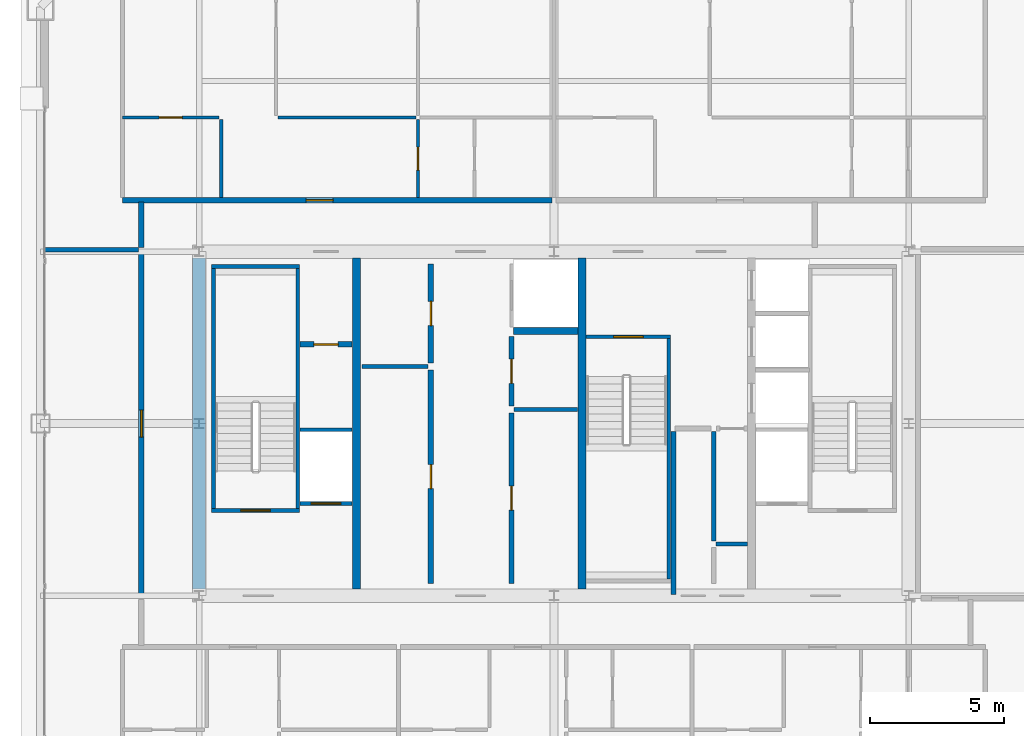
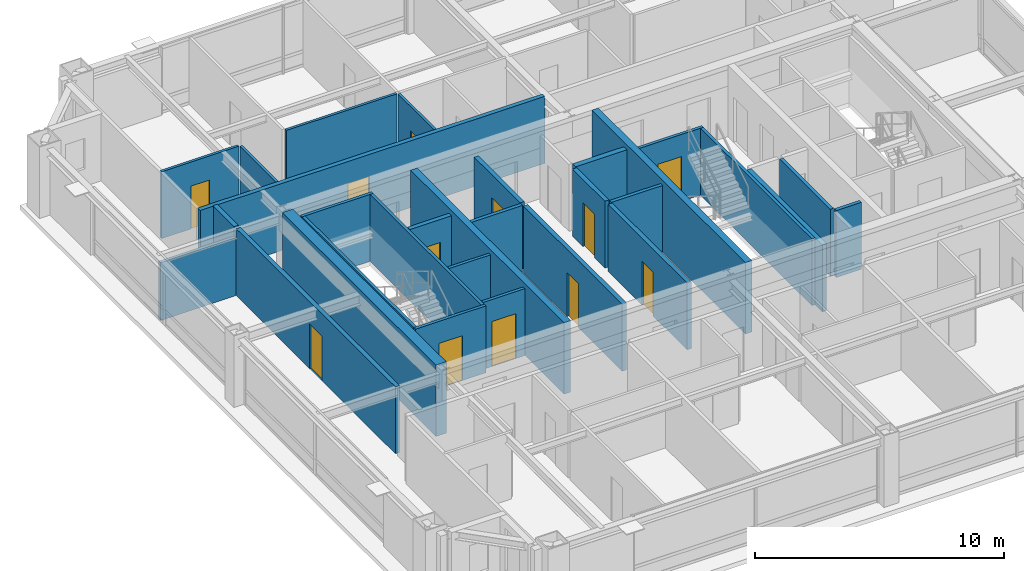
# One storey, part 31 of 35: 30 walls, 12 doors, 12 openings.
"""IFC4 building model written with IfcOpenShell, lengths in metres."""

from ifc_helpers import new_model, si_unit, direction, frame, frame_2d, origin, place, context, subcontext, project, spatial, rectangle, extrude, source, transform, mapped, material, layer, layer_set, type_object, element, fill, save


model = new_model("IFC4")

# Units and contexts
model_context = context("Model", 3, precision=1e-05, world=origin(), true_north=direction((0.0, 1.0)))
body_context = subcontext(model_context, "Body", "Model", "MODEL_VIEW")
ifc_project = project(units=[si_unit("LENGTHUNIT", "METRE"), si_unit("AREAUNIT", "SQUARE_METRE"), si_unit("VOLUMEUNIT", "CUBIC_METRE"), si_unit("PLANEANGLEUNIT", "RADIAN"), si_unit("MASSUNIT", "GRAM", prefix="KILO"), si_unit("THERMODYNAMICTEMPERATUREUNIT", "KELVIN"), si_unit("POWERUNIT", "WATT")], contexts=[model_context])

# Site, building, storey
site_placement = place(None, origin())
site = spatial("IfcSite", under=ifc_project, at=site_placement, CompositionType="ELEMENT")
building_placement = place(site_placement, origin())
building = spatial("IfcBuilding", under=site, at=building_placement, Name="Yuzanri Waterfront Tower", CompositionType="ELEMENT")
storey_placement = place(building_placement, frame((0.0, 0.0, 311.199951171875)))
storey = spatial("IfcBuildingStorey", under=building, at=storey_placement, Name="L83", CompositionType="ELEMENT", Elevation=311.199951171875)

# Wall, opening, door
ifc_material_1 = material(Name="Moisture-Resistant Gypsum Stud Wall", Category="gypsum")
ifc_layer_1 = layer(ifc_material_1, 0.1201171875)
ifc_layer_set_1 = layer_set([ifc_layer_1], Name="Moisture-Resistant Gypsum Stud Wall")
wall_type_1 = type_object("IfcWallType", Name="Bathroom and Kitchen Wet Partition 120", PredefinedType="PARTITIONING", material=ifc_layer_set_1)
wall_1_placement = place(storey_placement, frame((20.93994140625, 37.18994140625, 0.0), z_axis=(0.0, 0.0, 1.0), x_axis=(1.0, 0.0, 0.0)))
wall_1 = element("IfcWall", 1, at=wall_1_placement, inside=storey, type_object=wall_type_1, Name="L83 Partition UW-L83-HN1-SUB-1-N", PredefinedType="PARTITIONING", context=body_context, shape_type="SweptSolid", body=[
    extrude(rectangle(XDim=3.60009765625, YDim=0.1201171875, at=frame_2d((1.800048828125, 0.0))), origin(), (0.0, 0.0, 1.0), 3.280029296875),
])
opening_1_placement = place(wall_1_placement, frame((1.375, 0.0, 0.0)))
opening_1 = element("IfcOpeningElement", 2, at=opening_1_placement, cuts=wall_1, Name="Opening ID-0850", PredefinedType="OPENING", context=body_context, shape_type="SweptSolid", body=[
    extrude(rectangle(XDim=0.85009765625, YDim=2.10009765625, at=frame_2d((0.425048828125, 1.050048828125))), frame((0.0, 0.074951171875, 0.0), z_axis=(0.0, -1.0, 0.0), x_axis=(1.0, 0.0, 0.0)), (0.0, 0.0, 1.0), 0.14990234375),
])
ifc_material_2 = material(Name="Moisture-Resistant Lacquered Timber", Category="wood")
door_type_1 = type_object("IfcDoorType", Name="En-Suite Bathroom and Kitchen Swing Door 850x2100", OperationType="NOTDEFINED", PredefinedType="DOOR", material=ifc_material_2)
shared_shape_1 = source(origin(), body_context, "Body", "SweptSolid", [
    extrude(rectangle(XDim=0.85009765625, YDim=2.10009765625, at=frame_2d((0.425048828125, 1.050048828125))), frame((0.0, 0.02490234375, 0.0), z_axis=(0.0, -1.0, 0.0), x_axis=(1.0, 0.0, 0.0)), (0.0, 0.0, 1.0), 0.050048828125),
])
door_1_placement = place(opening_1_placement, origin())
door_1 = element("IfcDoor", 3, at=door_1_placement, inside=storey, type_object=door_type_1, Name="L83 Suite Interior Room Door", OperationType="SINGLE_SWING_LEFT", OverallHeight=2.10009765625, OverallWidth=0.85009765625, PredefinedType="DOOR", context=body_context, shape_type="MappedRepresentation", body=[
    mapped(shared_shape_1, transform((0.0, 0.0, 0.0), scale=1.0)),
])
fill(opening_1, door_1)

wall_2_placement = place(storey_placement, frame((31.94189453125, 34.2099609375, 0.0), z_axis=(0.0, 0.0, 1.0), x_axis=(0.0, 1.0, 0.0)))
wall_2 = element("IfcWall", 4, at=wall_2_placement, inside=storey, type_object=wall_type_1, Name="L83 Partition UW-L83-HN1-SUB-4-W", PredefinedType="PARTITIONING", context=body_context, shape_type="SweptSolid", body=[
    extrude(rectangle(XDim=2.900146484375, YDim=0.1201171875, at=frame_2d((1.4501953125, 0.0))), origin(), (0.0, 0.0, 1.0), 3.280029296875),
])
opening_2_placement = place(wall_2_placement, frame((1.02490234375, 0.0, 0.0)))
opening_2 = element("IfcOpeningElement", 5, at=opening_2_placement, cuts=wall_2, Name="Opening ID-0850", PredefinedType="OPENING", context=body_context, shape_type="SweptSolid", body=[
    extrude(rectangle(XDim=0.85009765625, YDim=2.10009765625, at=frame_2d((0.425048828125, 1.050048828125))), frame((0.0, 0.074951171875, 0.0), z_axis=(0.0, -1.0, 0.0), x_axis=(1.0, 0.0, 0.0)), (0.0, 0.0, 1.0), 0.14990234375),
])
door_2_placement = place(opening_2_placement, origin())
door_2 = element("IfcDoor", 6, at=door_2_placement, inside=storey, type_object=door_type_1, Name="L83 Suite Interior Room Door", OperationType="SINGLE_SWING_RIGHT", OverallHeight=2.10009765625, OverallWidth=0.85009765625, PredefinedType="DOOR", context=body_context, shape_type="MappedRepresentation", body=[
    mapped(shared_shape_1, transform((0.0, 0.0, 0.0), scale=1.0)),
])
fill(opening_2, door_2)

ifc_material_3 = material(Name="Concrete C40", Category="concrete")
ifc_layer_2 = layer(ifc_material_3, 0.139892578125)
ifc_layer_set_2 = layer_set([ifc_layer_2], Name="Concrete C40")
wall_type_2 = type_object("IfcWallType", Name="Core Stair Liner and Hoistway Shaft Wall 140", PredefinedType="SOLIDWALL", material=ifc_layer_set_2)
wall_3_placement = place(storey_placement, frame((27.56005859375, 22.830078125, 0.0), z_axis=(0.0, 0.0, 1.0), x_axis=(1.0, 0.0, 0.0)))
wall_3 = element("IfcWall", 7, at=wall_3_placement, inside=storey, type_object=wall_type_2, Name="L83 Lift FL-01 Front Shaft Wall", PredefinedType="SOLIDWALL", context=body_context, shape_type="SweptSolid", body=[
    extrude(rectangle(XDim=1.919921875, YDim=0.139892578125, at=frame_2d((0.9599609375, 0.0))), origin(), (0.0, 0.0, 1.0), 3.280029296875),
])
opening_3_placement = place(wall_3_placement, frame((0.409912109375, 0.0, 0.0)))
opening_3 = element("IfcOpeningElement", 8, at=opening_3_placement, cuts=wall_3, Name="Opening LD-FL-01", PredefinedType="OPENING", context=body_context, shape_type="SweptSolid", body=[
    extrude(rectangle(XDim=1.10009765625, YDim=2.199951171875, at=frame_2d((0.550048828125, 1.10009765625))), frame((0.0, 0.0849609375, 0.0), z_axis=(0.0, -1.0, 0.0), x_axis=(1.0, 0.0, 0.0)), (0.0, 0.0, 1.0), 0.169677734375),
])
ifc_material_4 = material(Name="Brushed Bronze and Stainless Steel Cab", Category="steel")
door_type_2 = type_object("IfcDoorType", Name="Center-Parting Bronze Lift Landing Sliding Door 1100x2200", OperationType="NOTDEFINED", PredefinedType="DOOR", material=ifc_material_4)
shared_shape_2 = source(origin(), body_context, "Body", "SweptSolid", [
    extrude(rectangle(XDim=1.10009765625, YDim=2.199951171875, at=frame_2d((0.550048828125, 1.10009765625))), frame((0.0, 0.02490234375, 0.0), z_axis=(0.0, -1.0, 0.0), x_axis=(1.0, 0.0, 0.0)), (0.0, 0.0, 1.0), 0.050048828125),
])
door_3_placement = place(opening_3_placement, origin())
door_3 = element("IfcDoor", 9, at=door_3_placement, inside=storey, type_object=door_type_2, Name="L83 FL-01 Lift Landing Sliding Door", OperationType="SLIDING_TO_LEFT", OverallHeight=2.199951171875, OverallWidth=1.10009765625, PredefinedType="DOOR", context=body_context, shape_type="MappedRepresentation", body=[
    mapped(shared_shape_2, transform((0.0, 0.0, 0.0), scale=1.0)),
])
fill(opening_3, door_3)

wall_4_placement = place(storey_placement, frame((24.260009765625, 22.570068359375, 0.0), z_axis=(0.0, 0.0, 1.0), x_axis=(1.0, 0.0, 0.0)))
wall_4 = element("IfcWall", 10, at=wall_4_placement, inside=storey, type_object=wall_type_2, Name="L83 Shaft Wall STW-L83-ST-01-S", PredefinedType="SOLIDWALL", context=body_context, shape_type="SweptSolid", body=[
    extrude(rectangle(XDim=3.280029296875, YDim=0.139892578125, at=frame_2d((1.64013671875, 0.0))), origin(), (0.0, 0.0, 1.0), 3.280029296875),
])
opening_4_placement = place(wall_4_placement, frame((1.090087890625, 0.0, 0.0)))
opening_4 = element("IfcOpeningElement", 11, at=opening_4_placement, cuts=wall_4, Name="Opening FD-1100", PredefinedType="OPENING", context=body_context, shape_type="SweptSolid", body=[
    extrude(rectangle(XDim=1.10009765625, YDim=2.199951171875, at=frame_2d((0.550048828125, 1.10009765625))), frame((0.0, 0.0849609375, 0.0), z_axis=(0.0, -1.0, 0.0), x_axis=(1.0, 0.0, 0.0)), (0.0, 0.0, 1.0), 0.169677734375),
])
ifc_material_5 = material(Name="Painted Galvanized Fire Steel", Category="steel")
door_type_3 = type_object("IfcDoorType", Name="Smoke-Proof Stair and Lobby Fire Door 1100x2200", OperationType="NOTDEFINED", PredefinedType="DOOR", material=ifc_material_5)
shared_shape_3 = source(origin(), body_context, "Body", "SweptSolid", [
    extrude(rectangle(XDim=1.10009765625, YDim=2.199951171875, at=frame_2d((0.550048828125, 1.10009765625))), frame((0.0, 0.02490234375, 0.0), z_axis=(0.0, -1.0, 0.0), x_axis=(1.0, 0.0, 0.0)), (0.0, 0.0, 1.0), 0.050048828125),
])
door_4_placement = place(opening_4_placement, origin())
door_4 = element("IfcDoor", 12, at=door_4_placement, inside=storey, type_object=door_type_3, Name="L83 Stair ST-01 Fire Door", OperationType="SINGLE_SWING_RIGHT", OverallHeight=2.199951171875, OverallWidth=1.10009765625, PredefinedType="DOOR", context=body_context, shape_type="MappedRepresentation", body=[
    mapped(shared_shape_3, transform((0.0, 0.0, 0.0), scale=1.0)),
])
fill(opening_4, door_4)

wall_5_placement = place(storey_placement, frame((38.199951171875, 29.030029296875, 0.0), z_axis=(0.0, 0.0, 1.0), x_axis=(1.0, 0.0, 0.0)))
wall_5 = element("IfcWall", 13, at=wall_5_placement, inside=storey, type_object=wall_type_2, Name="L83 Shaft Wall STW-L83-ST-03-N", PredefinedType="SOLIDWALL", context=body_context, shape_type="SweptSolid", body=[
    extrude(rectangle(XDim=3.14013671875, YDim=0.139892578125, at=frame_2d((1.570068359375, 0.0))), origin(), (0.0, 0.0, 1.0), 3.280029296875),
])
opening_5_placement = place(wall_5_placement, frame((1.02001953125, 0.0, 0.0)))
opening_5 = element("IfcOpeningElement", 14, at=opening_5_placement, cuts=wall_5, Name="Opening FD-1100", PredefinedType="OPENING", context=body_context, shape_type="SweptSolid", body=[
    extrude(rectangle(XDim=1.10009765625, YDim=2.199951171875, at=frame_2d((0.550048828125, 1.10009765625))), frame((0.0, 0.0849609375, 0.0), z_axis=(0.0, -1.0, 0.0), x_axis=(1.0, 0.0, 0.0)), (0.0, 0.0, 1.0), 0.169677734375),
])
door_5_placement = place(opening_5_placement, origin())
door_5 = element("IfcDoor", 15, at=door_5_placement, inside=storey, type_object=door_type_3, Name="L83 Stair ST-03 Fire Door", OperationType="SINGLE_SWING_RIGHT", OverallHeight=2.199951171875, OverallWidth=1.10009765625, PredefinedType="DOOR", context=body_context, shape_type="MappedRepresentation", body=[
    mapped(shared_shape_3, transform((0.0, 0.0, 0.0), scale=1.0)),
])
fill(opening_5, door_5)

ifc_material_6 = material(Name="Autoclaved Aerated Concrete Blockwork", Category="masonry")
ifc_layer_3 = layer(ifc_material_6, 0.199951171875)
ifc_layer_set_3 = layer_set([ifc_layer_3], Name="Autoclaved Aerated Concrete Blockwork")
wall_type_3 = type_object("IfcWallType", Name="Corridor and Unit Party Fire Wall 200", PredefinedType="PARTITIONING", material=ifc_layer_set_3)
wall_6_placement = place(storey_placement, frame((27.56005859375, 28.75, 0.0), z_axis=(0.0, 0.0, 1.0), x_axis=(1.0, 0.0, 0.0)))
wall_6 = element("IfcWall", 16, at=wall_6_placement, inside=storey, type_object=wall_type_3, Name="L83 Partition CRW-L83-ERTR", PredefinedType="PARTITIONING", context=body_context, shape_type="SweptSolid", body=[
    extrude(rectangle(XDim=1.919921875, YDim=0.199951171875, at=frame_2d((0.9599609375, 0.0))), origin(), (0.0, 0.0, 1.0), 3.280029296875),
])
opening_6_placement = place(wall_6_placement, frame((0.510009765625, 0.0, 0.0)))
opening_6 = element("IfcOpeningElement", 17, at=opening_6_placement, cuts=wall_6, Name="Opening FD-0900", PredefinedType="OPENING", context=body_context, shape_type="SweptSolid", body=[
    extrude(rectangle(XDim=0.89990234375, YDim=2.14990234375, at=frame_2d((0.449951171875, 1.074951171875))), frame((0.0, 0.11474609375, 0.0), z_axis=(0.0, -1.0, 0.0), x_axis=(1.0, 0.0, 0.0)), (0.0, 0.0, 1.0), 0.229736328125),
])
ifc_material_7 = material(Name="Painted Galvanized Fire Steel", Category="steel")
door_type_4 = type_object("IfcDoorType", Name="Riser and Service Room Fire Door 900x2150", OperationType="NOTDEFINED", PredefinedType="DOOR", material=ifc_material_7)
shared_shape_4 = source(origin(), body_context, "Body", "SweptSolid", [
    extrude(rectangle(XDim=0.89990234375, YDim=2.14990234375, at=frame_2d((0.449951171875, 1.074951171875))), frame((0.0, 0.02490234375, 0.0), z_axis=(0.0, -1.0, 0.0), x_axis=(1.0, 0.0, 0.0)), (0.0, 0.0, 1.0), 0.050048828125),
])
door_6_placement = place(opening_6_placement, origin())
door_6 = element("IfcDoor", 18, at=door_6_placement, inside=storey, type_object=door_type_4, Name="L83 Electrical Riser Door", OperationType="SINGLE_SWING_RIGHT", OverallHeight=2.14990234375, OverallWidth=0.89990234375, PredefinedType="DOOR", context=body_context, shape_type="MappedRepresentation", body=[
    mapped(shared_shape_4, transform((0.0, 0.0, 0.0), scale=1.0)),
])
fill(opening_6, door_6)

wall_7_placement = place(storey_placement, frame((32.419921875, 19.860107421875, 0.0), z_axis=(0.0, 0.0, 1.0), x_axis=(0.0, 1.0, 0.0)))
wall_7 = element("IfcWall", 19, at=wall_7_placement, inside=storey, type_object=wall_type_3, Name="L83 Partition CRW-L83-B1R-1", PredefinedType="PARTITIONING", context=body_context, shape_type="SweptSolid", body=[
    extrude(rectangle(XDim=7.93994140625, YDim=0.199951171875, at=frame_2d((3.969970703125, 0.0))), origin(), (0.0, 0.0, 1.0), 3.280029296875),
])
opening_7_placement = place(wall_7_placement, frame((3.52001953125, 0.0, 0.0)))
opening_7 = element("IfcOpeningElement", 20, at=opening_7_placement, cuts=wall_7, Name="Opening FD-0900", PredefinedType="OPENING", context=body_context, shape_type="SweptSolid", body=[
    extrude(rectangle(XDim=0.89990234375, YDim=2.14990234375, at=frame_2d((0.449951171875, 1.074951171875))), frame((0.0, 0.11474609375, 0.0), z_axis=(0.0, -1.0, 0.0), x_axis=(1.0, 0.0, 0.0)), (0.0, 0.0, 1.0), 0.229736328125),
])
door_7_placement = place(opening_7_placement, origin())
door_7 = element("IfcDoor", 21, at=door_7_placement, inside=storey, type_object=door_type_4, Name="L83 General Store Room", OperationType="SINGLE_SWING_LEFT", OverallHeight=2.14990234375, OverallWidth=0.89990234375, PredefinedType="DOOR", context=body_context, shape_type="MappedRepresentation", body=[
    mapped(shared_shape_4, transform((0.0, 0.0, 0.0), scale=1.0)),
])
fill(opening_7, door_7)

wall_8_placement = place(storey_placement, frame((32.419921875, 28.050048828125, 0.0), z_axis=(0.0, 0.0, 1.0), x_axis=(0.0, 1.0, 0.0)))
wall_8 = element("IfcWall", 22, at=wall_8_placement, inside=storey, type_object=wall_type_3, Name="L83 Partition CRW-L83-B1R-2", PredefinedType="PARTITIONING", context=body_context, shape_type="SweptSolid", body=[
    extrude(rectangle(XDim=3.68994140625, YDim=0.199951171875, at=frame_2d((1.844970703125, 0.0))), origin(), (0.0, 0.0, 1.0), 3.280029296875),
])
opening_8_placement = place(wall_8_placement, frame((1.39501953125, 0.0, 0.0)))
opening_8 = element("IfcOpeningElement", 23, at=opening_8_placement, cuts=wall_8, Name="Opening FD-0900", PredefinedType="OPENING", context=body_context, shape_type="SweptSolid", body=[
    extrude(rectangle(XDim=0.89990234375, YDim=2.14990234375, at=frame_2d((0.449951171875, 1.074951171875))), frame((0.0, 0.11474609375, 0.0), z_axis=(0.0, -1.0, 0.0), x_axis=(1.0, 0.0, 0.0)), (0.0, 0.0, 1.0), 0.229736328125),
])
door_8_placement = place(opening_8_placement, origin())
door_8 = element("IfcDoor", 24, at=door_8_placement, inside=storey, type_object=door_type_4, Name="L83 Water Riser Shaft", OperationType="SINGLE_SWING_RIGHT", OverallHeight=2.14990234375, OverallWidth=0.89990234375, PredefinedType="DOOR", context=body_context, shape_type="MappedRepresentation", body=[
    mapped(shared_shape_4, transform((0.0, 0.0, 0.0), scale=1.0)),
])
fill(opening_8, door_8)

wall_9_placement = place(storey_placement, frame((35.419921875, 19.860107421875, 0.0), z_axis=(0.0, 0.0, 1.0), x_axis=(0.0, 1.0, 0.0)))
wall_9 = element("IfcWall", 25, at=wall_9_placement, inside=storey, type_object=wall_type_3, Name="L83 Partition CRW-L83-B2R-1", PredefinedType="PARTITIONING", context=body_context, shape_type="SweptSolid", body=[
    extrude(rectangle(XDim=6.33984375, YDim=0.199951171875, at=frame_2d((3.169921875, 0.0))), origin(), (0.0, 0.0, 1.0), 3.280029296875),
])
opening_9_placement = place(wall_9_placement, frame((2.719970703125, 0.0, 0.0)))
opening_9 = element("IfcOpeningElement", 26, at=opening_9_placement, cuts=wall_9, Name="Opening FD-0900", PredefinedType="OPENING", context=body_context, shape_type="SweptSolid", body=[
    extrude(rectangle(XDim=0.89990234375, YDim=2.14990234375, at=frame_2d((0.449951171875, 1.074951171875))), frame((0.0, 0.11474609375, 0.0), z_axis=(0.0, -1.0, 0.0), x_axis=(1.0, 0.0, 0.0)), (0.0, 0.0, 1.0), 0.229736328125),
])
door_9_placement = place(opening_9_placement, origin())
door_9 = element("IfcDoor", 27, at=door_9_placement, inside=storey, type_object=door_type_4, Name="L83 Upper Service Store Room", OperationType="SINGLE_SWING_LEFT", OverallHeight=2.14990234375, OverallWidth=0.89990234375, PredefinedType="DOOR", context=body_context, shape_type="MappedRepresentation", body=[
    mapped(shared_shape_4, transform((0.0, 0.0, 0.0), scale=1.0)),
])
fill(opening_9, door_9)

wall_10_placement = place(storey_placement, frame((35.419921875, 26.449951171875, 0.0), z_axis=(0.0, 0.0, 1.0), x_axis=(0.0, 1.0, 0.0)))
wall_10 = element("IfcWall", 28, at=wall_10_placement, inside=storey, type_object=wall_type_3, Name="L83 Partition CRW-L83-B2R-2", PredefinedType="PARTITIONING", context=body_context, shape_type="SweptSolid", body=[
    extrude(rectangle(XDim=2.60009765625, YDim=0.199951171875, at=frame_2d((1.300048828125, 0.0))), origin(), (0.0, 0.0, 1.0), 3.280029296875),
])
opening_10_placement = place(wall_10_placement, frame((0.85009765625, 0.0, 0.0)))
opening_10 = element("IfcOpeningElement", 29, at=opening_10_placement, cuts=wall_10, Name="Opening FD-0900", PredefinedType="OPENING", context=body_context, shape_type="SweptSolid", body=[
    extrude(rectangle(XDim=0.89990234375, YDim=2.14990234375, at=frame_2d((0.449951171875, 1.074951171875))), frame((0.0, 0.11474609375, 0.0), z_axis=(0.0, -1.0, 0.0), x_axis=(1.0, 0.0, 0.0)), (0.0, 0.0, 1.0), 0.229736328125),
])
door_10_placement = place(opening_10_placement, origin())
door_10 = element("IfcDoor", 30, at=door_10_placement, inside=storey, type_object=door_type_4, Name="L83 Meter and Valve Store Room", OperationType="SINGLE_SWING_RIGHT", OverallHeight=2.14990234375, OverallWidth=0.89990234375, PredefinedType="DOOR", context=body_context, shape_type="MappedRepresentation", body=[
    mapped(shared_shape_4, transform((0.0, 0.0, 0.0), scale=1.0)),
])
fill(opening_10, door_10)

wall_11_placement = place(storey_placement, frame((20.93994140625, 34.110107421875, 0.0), z_axis=(0.0, 0.0, 1.0), x_axis=(1.0, 0.0, 0.0)))
wall_11 = element("IfcWall", 31, at=wall_11_placement, inside=storey, type_object=wall_type_3, Name="L83 Partition UW-L83-HN1-CS", PredefinedType="PARTITIONING", context=body_context, shape_type="SweptSolid", body=[
    extrude(rectangle(XDim=15.97998046875, YDim=0.199951171875, at=frame_2d((7.989990234375, 0.0))), origin(), (0.0, 0.0, 1.0), 3.280029296875),
])
opening_11_placement = place(wall_11_placement, frame((6.841064453125, 0.0, 0.0)))
opening_11 = element("IfcOpeningElement", 32, at=opening_11_placement, cuts=wall_11, Name="Opening FD-1000", PredefinedType="OPENING", context=body_context, shape_type="SweptSolid", body=[
    extrude(rectangle(XDim=1.0, YDim=2.199951171875, at=frame_2d((0.5, 1.10009765625))), frame((0.0, 0.11474609375, 0.0), z_axis=(0.0, -1.0, 0.0), x_axis=(1.0, 0.0, 0.0)), (0.0, 0.0, 1.0), 0.229736328125),
])
ifc_material_8 = material(Name="Engineered Oak Fire-Rated Timber", Category="wood")
door_type_5 = type_object("IfcDoorType", Name="Guestroom and Apartment Entrance Fire Door 1000x2200", OperationType="NOTDEFINED", PredefinedType="DOOR", material=ifc_material_8)
shared_shape_5 = source(origin(), body_context, "Body", "SweptSolid", [
    extrude(rectangle(XDim=1.0, YDim=2.199951171875, at=frame_2d((0.5, 1.10009765625))), frame((0.0, 0.02490234375, 0.0), z_axis=(0.0, -1.0, 0.0), x_axis=(1.0, 0.0, 0.0)), (0.0, 0.0, 1.0), 0.050048828125),
])
door_11_placement = place(opening_11_placement, origin())
door_11 = element("IfcDoor", 33, at=door_11_placement, inside=storey, type_object=door_type_5, Name="L83 Apartment Living Room Entrance Door", OperationType="SINGLE_SWING_RIGHT", OverallHeight=2.199951171875, OverallWidth=1.0, PredefinedType="DOOR", context=body_context, shape_type="MappedRepresentation", body=[
    mapped(shared_shape_5, transform((0.0, 0.0, 0.0), scale=1.0)),
])
fill(opening_11, door_11)

wall_12_placement = place(storey_placement, frame((21.64990234375, 19.409912109375, 0.0), z_axis=(0.0, 0.0, 1.0), x_axis=(0.0, 1.0, 0.0)))
wall_12 = element("IfcWall", 34, at=wall_12_placement, inside=storey, type_object=wall_type_3, Name="L83 Partition UW-L83-047-CW", PredefinedType="PARTITIONING", context=body_context, shape_type="SweptSolid", body=[
    extrude(rectangle(XDim=12.780029296875, YDim=0.199951171875, at=frame_2d((6.39013671875, 0.0))), origin(), (0.0, 0.0, 1.0), 3.280029296875),
])
opening_12_placement = place(wall_12_placement, frame((5.889892578125, 0.0, 0.0)))
opening_12 = element("IfcOpeningElement", 35, at=opening_12_placement, cuts=wall_12, Name="Opening FD-1000", PredefinedType="OPENING", context=body_context, shape_type="SweptSolid", body=[
    extrude(rectangle(XDim=1.0, YDim=2.199951171875, at=frame_2d((0.5, 1.10009765625))), frame((0.0, 0.11474609375, 0.0), z_axis=(0.0, -1.0, 0.0), x_axis=(1.0, 0.0, 0.0)), (0.0, 0.0, 1.0), 0.229736328125),
])
door_12_placement = place(opening_12_placement, origin())
door_12 = element("IfcDoor", 36, at=door_12_placement, inside=storey, type_object=door_type_5, Name="L83 High-Rise W Horizon Club Room Entrance Door", OperationType="SINGLE_SWING_RIGHT", OverallHeight=2.199951171875, OverallWidth=1.0, PredefinedType="DOOR", context=body_context, shape_type="MappedRepresentation", body=[
    mapped(shared_shape_5, transform((0.0, 0.0, 0.0), scale=1.0)),
])
fill(opening_12, door_12)

# Walls
ifc_material_9 = material(Name="Concrete C45", Category="concrete")
ifc_layer_4 = layer(ifc_material_9, 0.47998046875)
ifc_layer_set_4 = layer_set([ifc_layer_4], Name="Concrete C45")
wall_type_4 = type_object("IfcWallType", Name="Concrete C45 High-Rise Core Shear Wall 480", PredefinedType="SHEAR", material=ifc_layer_set_4)
shared_shape_6 = source(origin(), body_context, "Body", "SweptSolid", [
    extrude(rectangle(XDim=12.320068359375, YDim=0.47998046875, at=frame_2d((6.16015625, 0.0))), origin(), (0.0, 0.0, 1.0), 3.5),
])
wall_13_placement = place(storey_placement, frame((23.800048828125, 19.639892578125, 0.0), z_axis=(0.0, 0.0, 1.0), x_axis=(0.0, 1.0, 0.0)))
element("IfcWall", 37, at=wall_13_placement, inside=storey, type_object=wall_type_4, Name="L83 Core West Shear Wall", PredefinedType="SHEAR", context=body_context, shape_type="MappedRepresentation", body=[
    mapped(shared_shape_6, transform((0.0, 0.0, 0.0), scale=1.0)),
])
ifc_material_10 = material(Name="Concrete C50", Category="concrete")
ifc_layer_5 = layer(ifc_material_10, 0.300048828125)
ifc_layer_set_5 = layer_set([ifc_layer_5], Name="Concrete C50")
wall_type_5 = type_object("IfcWallType", Name="Concrete C50 Internal Core Shaft Structural Wall 300", PredefinedType="SOLIDWALL", material=ifc_layer_set_5)
shared_shape_7 = source(origin(), body_context, "Body", "SweptSolid", [
    extrude(rectangle(XDim=12.320068359375, YDim=0.300048828125, at=frame_2d((6.16015625, 0.0))), origin(), (0.0, 0.0, 1.0), 3.5),
])
for number, where, z_axis, x_axis, name in (
    (38, (29.64990234375, 19.639892578125, 0.0), (0.0, 0.0, 1.0), (0.0, 1.0, 0.0), "L83 Core Internal Structural Web Wall 1"),
    (39, (38.050048828125, 19.639892578125, 0.0), (0.0, 0.0, 1.0), (0.0, 1.0, 0.0), "L83 Core Internal Structural Web Wall 2"),
):
    element("IfcWall", number, at=place(storey_placement, frame(where, z_axis=z_axis, x_axis=x_axis)), inside=storey, type_object=wall_type_5, Name=name, PredefinedType="SOLIDWALL", context=body_context, shape_type="MappedRepresentation", body=[
        mapped(shared_shape_7, transform((0.0, 0.0, 0.0), scale=1.0)),
    ])
shared_shape_8 = source(origin(), body_context, "Body", "SweptSolid", [
    extrude(rectangle(XDim=1.919921875, YDim=0.139892578125, at=frame_2d((0.9599609375, 0.0))), origin(), (0.0, 0.0, 1.0), 3.280029296875),
])
wall_14_placement = place(storey_placement, frame((27.56005859375, 25.570068359375, 0.0), z_axis=(0.0, 0.0, 1.0), x_axis=(1.0, 0.0, 0.0)))
element("IfcWall", 40, at=wall_14_placement, inside=storey, type_object=wall_type_2, Name="L83 Lift FL-01 Back Shaft Wall", PredefinedType="SOLIDWALL", context=body_context, shape_type="MappedRepresentation", body=[
    mapped(shared_shape_8, transform((0.0, 0.0, 0.0), scale=1.0)),
])
ifc_material_11 = material(Name="Concrete C40", Category="concrete")
ifc_layer_6 = layer(ifc_material_11, 0.25)
ifc_layer_set_6 = layer_set([ifc_layer_6], Name="Concrete C40")
wall_type_6 = type_object("IfcWallType", Name="Smoke-Proof Stair and Lift Shaft Wall 250", PredefinedType="SOLIDWALL", material=ifc_layer_set_6)
shared_shape_9 = source(origin(), body_context, "Body", "SweptSolid", [
    extrude(rectangle(XDim=2.39990234375, YDim=0.25, at=frame_2d((1.199951171875, 0.0))), origin(), (0.0, 0.0, 1.0), 3.280029296875),
])
wall_15_placement = place(storey_placement, frame((35.5, 29.25, 0.0), z_axis=(0.0, 0.0, 1.0), x_axis=(1.0, 0.0, 0.0)))
element("IfcWall", 41, at=wall_15_placement, inside=storey, type_object=wall_type_6, Name="L83 Lift SL-02 South Shaft Wall", PredefinedType="SOLIDWALL", context=body_context, shape_type="MappedRepresentation", body=[
    mapped(shared_shape_9, transform((0.0, 0.0, 0.0), scale=1.0)),
])
shared_shape_10 = source(origin(), body_context, "Body", "SweptSolid", [
    extrude(rectangle(XDim=3.280029296875, YDim=0.139892578125, at=frame_2d((1.64013671875, 0.0))), origin(), (0.0, 0.0, 1.0), 3.280029296875),
])
wall_16_placement = place(storey_placement, frame((24.260009765625, 31.64990234375, 0.0), z_axis=(0.0, 0.0, 1.0), x_axis=(1.0, 0.0, 0.0)))
element("IfcWall", 42, at=wall_16_placement, inside=storey, type_object=wall_type_2, Name="L83 Stair ST-01 North Shaft Wall", PredefinedType="SOLIDWALL", context=body_context, shape_type="MappedRepresentation", body=[
    mapped(shared_shape_10, transform((0.0, 0.0, 0.0), scale=1.0)),
])
shared_shape_11 = source(origin(), body_context, "Body", "SweptSolid", [
    extrude(rectangle(XDim=8.940185546875, YDim=0.139892578125, at=frame_2d((4.47021484375, 0.0))), origin(), (0.0, 0.0, 1.0), 3.280029296875),
])
for number, where, z_axis, x_axis, name in (
    (43, (24.330078125, 22.639892578125, 0.0), (0.0, 0.0, 1.0), (0.0, 1.0, 0.0), "L83 Stair ST-01 West Shaft Wall"),
    (44, (27.469970703125, 22.639892578125, 0.0), (0.0, 0.0, 1.0), (0.0, 1.0, 0.0), "L83 Stair ST-01 East Shaft Wall"),
):
    element("IfcWall", number, at=place(storey_placement, frame(where, z_axis=z_axis, x_axis=x_axis)), inside=storey, type_object=wall_type_2, Name=name, PredefinedType="SOLIDWALL", context=body_context, shape_type="MappedRepresentation", body=[
        mapped(shared_shape_11, transform((0.0, 0.0, 0.0), scale=1.0)),
    ])
shared_shape_12 = source(origin(), body_context, "Body", "SweptSolid", [
    extrude(rectangle(XDim=8.93994140625, YDim=0.139892578125, at=frame_2d((4.469970703125, 0.0))), origin(), (0.0, 0.0, 1.0), 3.280029296875),
])
wall_17_placement = place(storey_placement, frame((41.27001953125, 20.02001953125, 0.0), z_axis=(0.0, 0.0, 1.0), x_axis=(0.0, 1.0, 0.0)))
element("IfcWall", 45, at=wall_17_placement, inside=storey, type_object=wall_type_2, Name="L83 Stair ST-03 East Shaft Wall", PredefinedType="SOLIDWALL", context=body_context, shape_type="MappedRepresentation", body=[
    mapped(shared_shape_12, transform((0.0, 0.0, 0.0), scale=1.0)),
])
ifc_material_12 = material(Name="Gypsum Fireboard Acoustic Stud Wall", Category="gypsum")
ifc_layer_7 = layer(ifc_material_12, 0.159912109375)
ifc_layer_set_7 = layer_set([ifc_layer_7], Name="Gypsum Fireboard Acoustic Stud Wall")
wall_type_7 = type_object("IfcWallType", Name="Acoustic Suite Demising Partition 160", PredefinedType="PARTITIONING", material=ifc_layer_set_7)
shared_shape_13 = source(origin(), body_context, "Body", "SweptSolid", [
    extrude(rectangle(XDim=2.469970703125, YDim=0.159912109375, at=frame_2d((1.23486328125, 0.0))), origin(), (0.0, 0.0, 1.0), 3.280029296875),
])
wall_18_placement = place(storey_placement, frame((29.85009765625, 27.929931640625, 0.0), z_axis=(0.0, 0.0, 1.0), x_axis=(1.0, 0.0, 0.0)))
element("IfcWall", 46, at=wall_18_placement, inside=storey, type_object=wall_type_7, Name="L83 Reclaimed Core Divider 2", PredefinedType="PARTITIONING", context=body_context, shape_type="MappedRepresentation", body=[
    mapped(shared_shape_13, transform((0.0, 0.0, 0.0), scale=1.0)),
])
shared_shape_14 = source(origin(), body_context, "Body", "SweptSolid", [
    extrude(rectangle(XDim=1.169921875, YDim=0.159912109375, at=frame_2d((0.5849609375, 0.0))), origin(), (0.0, 0.0, 1.0), 3.280029296875),
])
wall_19_placement = place(storey_placement, frame((43.030029296875, 21.320068359375, 0.0), z_axis=(0.0, 0.0, 1.0), x_axis=(1.0, 0.0, 0.0)))
element("IfcWall", 47, at=wall_19_placement, inside=storey, type_object=wall_type_7, Name="L83 East Wet Riser North Wall", PredefinedType="PARTITIONING", context=body_context, shape_type="MappedRepresentation", body=[
    mapped(shared_shape_14, transform((0.0, 0.0, 0.0), scale=1.0)),
])
shared_shape_15 = source(origin(), body_context, "Body", "SweptSolid", [
    extrude(rectangle(XDim=3.5, YDim=0.159912109375, at=frame_2d((1.75, 0.0))), origin(), (0.0, 0.0, 1.0), 2.824951171875),
])
wall_20_placement = place(storey_placement, frame((18.050048828125, 32.27001953125, 0.0), z_axis=(0.0, 0.0, 1.0), x_axis=(1.0, 0.0, 0.0)))
element("IfcWall", 48, at=wall_20_placement, inside=storey, type_object=wall_type_7, Name="L83-047 Wing North End Wall", PredefinedType="PARTITIONING", context=body_context, shape_type="MappedRepresentation", body=[
    mapped(shared_shape_15, transform((0.0, 0.0, 0.0), scale=1.0)),
])
shared_shape_16 = source(origin(), body_context, "Body", "SweptSolid", [
    extrude(rectangle(XDim=2.35986328125, YDim=0.159912109375, at=frame_2d((1.179931640625, 0.0))), origin(), (0.0, 0.0, 1.0), 3.280029296875),
])
wall_21_placement = place(storey_placement, frame((35.52001953125, 26.330078125, 0.0), z_axis=(0.0, 0.0, 1.0), x_axis=(1.0, 0.0, 0.0)))
element("IfcWall", 49, at=wall_21_placement, inside=storey, type_object=wall_type_7, Name="L83 Reclaimed High-Zone Divider 2", PredefinedType="PARTITIONING", context=body_context, shape_type="MappedRepresentation", body=[
    mapped(shared_shape_16, transform((0.0, 0.0, 0.0), scale=1.0)),
])
shared_shape_17 = source(origin(), body_context, "Body", "SweptSolid", [
    extrude(rectangle(XDim=6.06005859375, YDim=0.199951171875, at=frame_2d((3.030029296875, 0.0))), origin(), (0.0, 0.0, 1.0), 3.280029296875),
])
wall_22_placement = place(storey_placement, frame((41.449951171875, 19.43994140625, 0.0), z_axis=(0.0, 0.0, 1.0), x_axis=(0.0, 1.0, 0.0)))
element("IfcWall", 50, at=wall_22_placement, inside=storey, type_object=wall_type_3, Name="L83 Core BOH West Wall 1", PredefinedType="PARTITIONING", context=body_context, shape_type="MappedRepresentation", body=[
    mapped(shared_shape_17, transform((0.0, 0.0, 0.0), scale=1.0)),
])
shared_shape_18 = source(origin(), body_context, "Body", "SweptSolid", [
    extrude(rectangle(XDim=4.06005859375, YDim=0.159912109375, at=frame_2d((2.030029296875, 0.0))), origin(), (0.0, 0.0, 1.0), 3.280029296875),
])
wall_23_placement = place(storey_placement, frame((42.949951171875, 21.43994140625, 0.0), z_axis=(0.0, 0.0, 1.0), x_axis=(0.0, 1.0, 0.0)))
element("IfcWall", 51, at=wall_23_placement, inside=storey, type_object=wall_type_7, Name="L83 Core BOH Mid Wall 2", PredefinedType="PARTITIONING", context=body_context, shape_type="MappedRepresentation", body=[
    mapped(shared_shape_18, transform((0.0, 0.0, 0.0), scale=1.0)),
])
shared_shape_19 = source(origin(), body_context, "Body", "SweptSolid", [
    extrude(rectangle(XDim=1.699951171875, YDim=0.199951171875, at=frame_2d((0.85009765625, 0.0))), origin(), (0.0, 0.0, 1.0), 3.280029296875),
])
wall_24_placement = place(storey_placement, frame((21.64990234375, 32.35009765625, 0.0), z_axis=(0.0, 0.0, 1.0), x_axis=(0.0, 1.0, 0.0)))
element("IfcWall", 52, at=wall_24_placement, inside=storey, type_object=wall_type_3, Name="L83 North Foyer West End Wall", PredefinedType="PARTITIONING", context=body_context, shape_type="MappedRepresentation", body=[
    mapped(shared_shape_19, transform((0.0, 0.0, 0.0), scale=1.0)),
])
shared_shape_20 = source(origin(), body_context, "Body", "SweptSolid", [
    extrude(rectangle(XDim=2.900146484375, YDim=0.1201171875, at=frame_2d((1.4501953125, 0.0))), origin(), (0.0, 0.0, 1.0), 3.280029296875),
])
wall_25_placement = place(storey_placement, frame((24.6201171875, 34.2099609375, 0.0), z_axis=(0.0, 0.0, 1.0), x_axis=(0.0, 1.0, 0.0)))
element("IfcWall", 53, at=wall_25_placement, inside=storey, type_object=wall_type_1, Name="L83 Partition UW-L83-HN1-SUB-1-E", PredefinedType="PARTITIONING", context=body_context, shape_type="MappedRepresentation", body=[
    mapped(shared_shape_20, transform((0.0, 0.0, 0.0), scale=1.0)),
])
shared_shape_21 = source(origin(), body_context, "Body", "SweptSolid", [
    extrude(rectangle(XDim=5.1220703125, YDim=0.1201171875, at=frame_2d((2.56103515625, 0.0))), origin(), (0.0, 0.0, 1.0), 3.280029296875),
])
wall_26_placement = place(storey_placement, frame((26.739990234375, 37.18994140625, 0.0), z_axis=(0.0, 0.0, 1.0), x_axis=(1.0, 0.0, 0.0)))
element("IfcWall", 54, at=wall_26_placement, inside=storey, type_object=wall_type_1, Name="L83 Partition UW-L83-HN1-SUB-5-S", PredefinedType="PARTITIONING", context=body_context, shape_type="MappedRepresentation", body=[
    mapped(shared_shape_21, transform((0.0, 0.0, 0.0), scale=1.0)),
])

save(model, "model.ifc")
